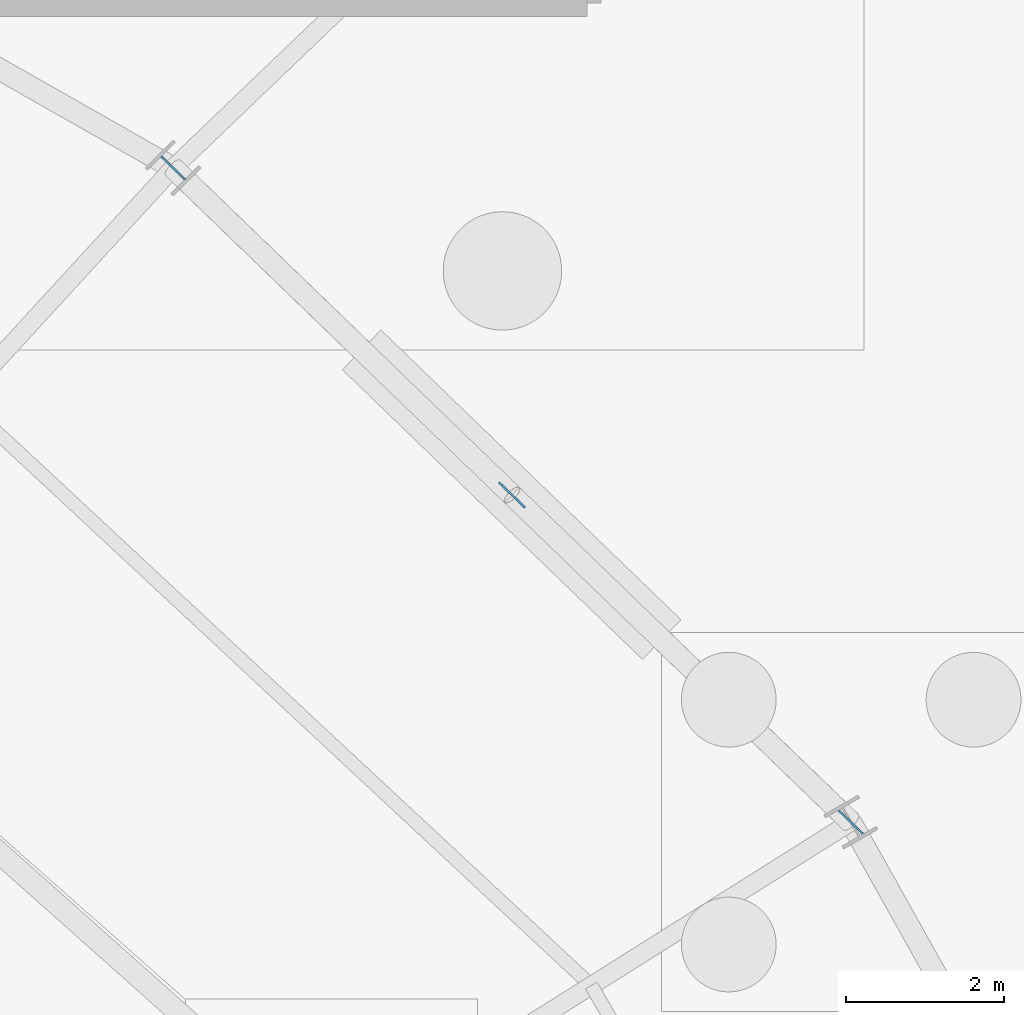
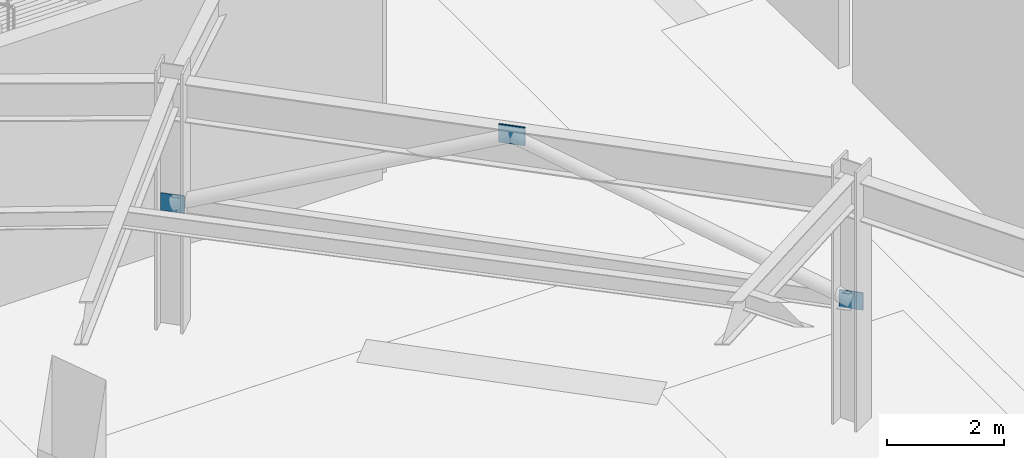
# One storey, part 50 of 93: 3 plates.
"""IFC4 building model written with IfcOpenShell, lengths in metres."""

from ifc_helpers import new_model, si_unit, direction, frame, origin, origin_2d, place, context, subcontext, project, spatial, rectangle, extrude, material, layer, layer_set, type_object, element, save


model = new_model("IFC4")

# Units and contexts
model_context = context("Model", 3, precision=1e-05, world=origin(), true_north=direction((0.0, 1.0)))
body_context = subcontext(model_context, "Body", "Model", "MODEL_VIEW")
ifc_project = project(units=[si_unit("LENGTHUNIT", "METRE"), si_unit("AREAUNIT", "SQUARE_METRE"), si_unit("VOLUMEUNIT", "CUBIC_METRE"), si_unit("PLANEANGLEUNIT", "RADIAN"), si_unit("MASSUNIT", "GRAM", prefix="KILO")], contexts=[model_context])

# Site, building, storey
site_placement = place(None, origin())
site = spatial("IfcSite", under=ifc_project, at=site_placement, CompositionType="ELEMENT")
building_placement = place(site_placement, origin())
building = spatial("IfcBuilding", under=site, at=building_placement, Name="Kalgoora Escarpment Arena", CompositionType="ELEMENT")
storey_placement = place(building_placement, origin())
storey = spatial("IfcBuildingStorey", under=building, at=storey_placement, Name="L00", CompositionType="ELEMENT", Elevation=0.0)

# Plates
ifc_material = material(Name="Structural steel Grade 350 (350 MPa)", Category="steel")
ifc_layer = layer(ifc_material, 0.02490234375)
ifc_layer_set = layer_set([ifc_layer], Name="PLT-GUSSET-25")
plate_type = type_object("IfcPlateType", Name="PLT-GUSSET-25", PredefinedType="USERDEFINED", material=ifc_layer_set)
plate_placement = place(storey_placement, frame((134.87451171875, 88.14208984375, 4.760009765625), z_axis=(0.0, 0.0, 1.0), x_axis=(-0.719461030139, 0.6945328114, 0.0)))
element("IfcPlate", 1, at=plate_placement, inside=storey, type_object=plate_type, Name="L00 chevron gusset cap plate R03", ObjectType="FLANGE PLATE", PredefinedType="USERDEFINED", context=body_context, shape_type="SweptSolid", body=[
    extrude(rectangle(XDim=0.4599609375, YDim=0.02490234375, at=origin_2d()), origin(), (0.0, 0.0, 1.0), 0.3798828125),
])
for number, where, z_axis, x_axis, name in (
    (2, (139.165283203125, 84.0, 2.33984375), (0.0, 0.0, 1.0), (-0.719339800339, 0.694658370459, 0.0), "Brace and post end gusset plate 001"),
    (3, (130.583740234375, 92.2841796875, 2.33984375), (0.0, 0.0, 1.0), (0.719339800339, -0.694658370459, 0.0), "Brace and post end gusset plate 002"),
):
    element("IfcPlate", number, at=place(storey_placement, frame(where, z_axis=z_axis, x_axis=x_axis)), inside=storey, type_object=plate_type, Name=name, ObjectType="FLANGE PLATE", PredefinedType="USERDEFINED", context=body_context, shape_type="SweptSolid", body=[
        extrude(rectangle(XDim=0.419921875, YDim=0.02490234375, at=origin_2d()), origin(), (0.0, 0.0, 1.0), 0.360107421875),
    ])

save(model, "model.ifc")
